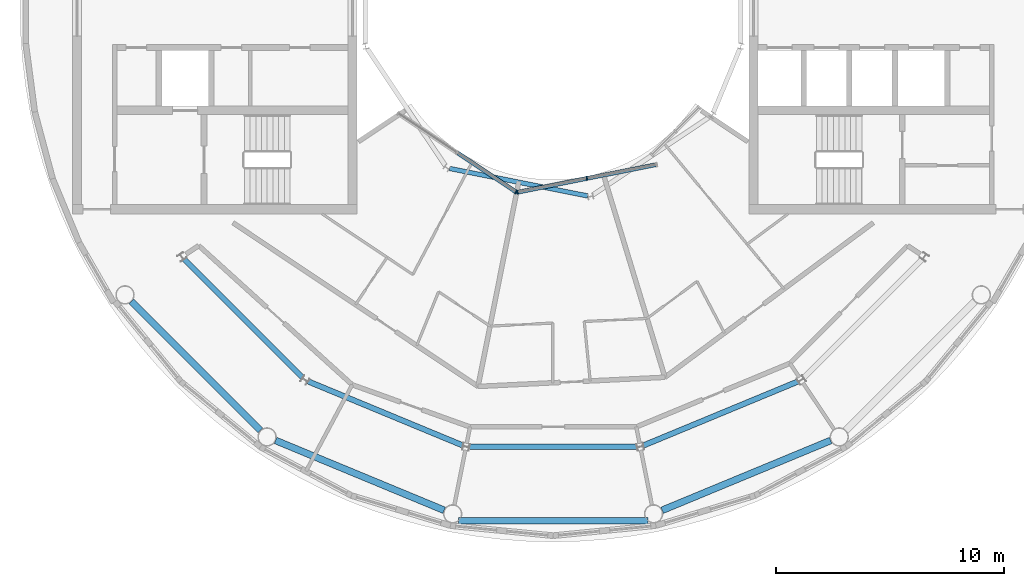
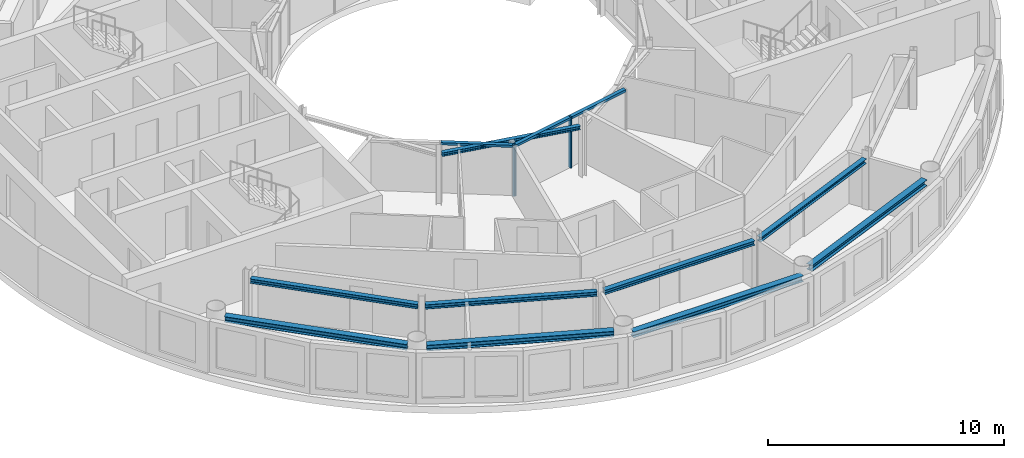
# One storey, part 5 of 17: 9 beams, 6 members, 2 elements without a shape of their own.
"""IFC4 building model written with IfcOpenShell, lengths in metres."""

from ifc_helpers import new_model, si_unit, direction, frame, origin, origin_2d, place, context, subcontext, project, spatial, rectangle, i_section, extrude, material, layer, layer_set, material_profile, profile_set, type_object, element, aggregate, save


model = new_model("IFC4")

# Units and contexts
model_context = context("Model", 3, precision=1e-05, world=origin(), true_north=direction((0.0, 1.0)))
body_context = subcontext(model_context, "Body", "Model", "MODEL_VIEW")
ifc_project = project(units=[si_unit("LENGTHUNIT", "METRE"), si_unit("AREAUNIT", "SQUARE_METRE"), si_unit("VOLUMEUNIT", "CUBIC_METRE"), si_unit("PLANEANGLEUNIT", "RADIAN"), si_unit("MASSUNIT", "GRAM", prefix="KILO")], contexts=[model_context])

# Site, building, storey
site_placement = place(None, origin())
site = spatial("IfcSite", under=ifc_project, at=site_placement, CompositionType="ELEMENT")
building_placement = place(site_placement, origin())
building = spatial("IfcBuilding", under=site, at=building_placement, Name="Maasbend Ring Residences", CompositionType="ELEMENT")
storey_placement = place(building_placement, frame((0.0, 0.0, 252.35009765625)))
storey = spatial("IfcBuildingStorey", under=building, at=storey_placement, Name="L73", CompositionType="ELEMENT", Elevation=252.35009765625)

# Curtain wall, member
ifc_material_1 = material(Name="Aluminium and clear glass", Category="aluminium")
ifc_layer = layer(ifc_material_1, 0.179931640625)
ifc_layer_set = layer_set([ifc_layer], Name="CW-W")
curtain_wall_type = type_object("IfcCurtainWallType", Name="CW-W", PredefinedType="NOTDEFINED", material=ifc_layer_set)
curtain_wall_1_placement = place(storey_placement, origin())
curtain_wall_1 = element("IfcCurtainWall", 1, at=curtain_wall_1_placement, inside=storey, type_object=curtain_wall_type, Name="Well curtain wall S1", PredefinedType="NOTDEFINED")
ifc_material_2 = material(Name="Aluminium 6063-T6", Category="aluminium")
ifc_material_profile_1 = material_profile(ifc_material_2, rectangle(XDim=0.179931640625, YDim=0.06005859375, at=origin_2d()), Name="AL 180x60")
ifc_profile_set_1 = profile_set([ifc_material_profile_1], Name="Aluminium 6063-T6")
member_type_1 = type_object("IfcMemberType", Name="CWM-W", PredefinedType="MULLION", material=ifc_profile_set_1)
member_1_placement = place(storey_placement, frame((-1.627685546875, -8.040771484375, 0.0), z_axis=(0.0, 0.0, 1.0), x_axis=(0.55557023302, 0.831469612303, 0.0)))
member_1 = element("IfcMember", 2, at=member_1_placement, type_object=member_type_1, Name="Mullion well face", PredefinedType="MULLION", context=body_context, shape_type="SweptSolid", body=[
    extrude(rectangle(XDim=0.179931640625, YDim=0.06005859375, at=origin_2d()), origin(), (0.0, 0.0, 1.0), 2.64990234375),
])

# Curtain wall, members
curtain_wall_2_placement = place(storey_placement, origin())
curtain_wall_2 = element("IfcCurtainWall", 3, at=curtain_wall_2_placement, inside=storey, type_object=curtain_wall_type, Name="Well curtain wall S2", PredefinedType="NOTDEFINED")
member_2_placement = place(storey_placement, frame((-1.5732421875, -8.0517578125, 0.0), z_axis=(0.0, 0.0, 1.0), x_axis=(-0.195090322016, 0.980785280403, 0.0)))
member_2 = element("IfcMember", 4, at=member_2_placement, type_object=member_type_1, Name="Mullion well face", PredefinedType="MULLION", context=body_context, shape_type="SweptSolid", body=[
    extrude(rectangle(XDim=0.179931640625, YDim=0.06005859375, at=origin_2d()), origin(), (0.0, 0.0, 1.0), 2.64990234375),
])
member_3_placement = place(storey_placement, frame((1.480712890625, -7.444091796875, 0.0), z_axis=(0.0, 0.0, 1.0), x_axis=(-0.195090322016, 0.980785280403, 0.0)))
member_3 = element("IfcMember", 5, at=member_3_placement, type_object=member_type_1, Name="Mullion well face", PredefinedType="MULLION", context=body_context, shape_type="SweptSolid", body=[
    extrude(rectangle(XDim=0.179931640625, YDim=0.06005859375, at=origin_2d()), origin(), (0.0, 0.0, 1.0), 2.64990234375),
])

# Member
ifc_material_3 = material(Name="Aluminium 6063-T6", Category="aluminium")
ifc_material_profile_2 = material_profile(ifc_material_3, rectangle(XDim=0.179931640625, YDim=0.1201171875, at=origin_2d()), Name="AL 180x120")
ifc_profile_set_2 = profile_set([ifc_material_profile_2], Name="Aluminium 6063-T6")
member_type_2 = type_object("IfcMemberType", Name="CWT-W", PredefinedType="USERDEFINED", material=ifc_profile_set_2)
member_4_placement = place(storey_placement, frame((-4.19189453125, -6.32763671875, 2.58984375), z_axis=(0.831496422459, -0.555530106689, 0.0), x_axis=(0.555530106689, 0.831496422459, 0.0)))
member_4 = element("IfcMember", 6, at=member_4_placement, type_object=member_type_2, Name="Transom well face", ObjectType="TRANSOM", PredefinedType="USERDEFINED", context=body_context, shape_type="SweptSolid", body=[
    extrude(rectangle(XDim=0.179931640625, YDim=0.1201171875, at=origin_2d()), origin(), (0.0, 0.0, 1.0), 3.053955078125),
])

aggregate(curtain_wall_1, [member_1, member_4])

member_5_placement = place(storey_placement, frame((-1.5439453125, -8.0458984375, 2.58984375), z_axis=(0.980776956105, 0.195132166424, 0.0), x_axis=(-0.195132166424, 0.980776956105, 0.0)))
member_5 = element("IfcMember", 7, at=member_5_placement, type_object=member_type_2, Name="Transom well face", ObjectType="TRANSOM", PredefinedType="USERDEFINED", context=body_context, shape_type="SweptSolid", body=[
    extrude(rectangle(XDim=0.179931640625, YDim=0.1201171875, at=origin_2d()), origin(), (0.0, 0.0, 1.0), 3.053955078125),
])

member_6_placement = place(storey_placement, frame((1.51025390625, -7.438232421875, 2.58984375), z_axis=(0.980789210404, 0.19507056353, 0.0), x_axis=(-0.19507056353, 0.980789210404, 0.0)))
member_6 = element("IfcMember", 8, at=member_6_placement, type_object=member_type_2, Name="Transom well face", ObjectType="TRANSOM", PredefinedType="USERDEFINED", context=body_context, shape_type="SweptSolid", body=[
    extrude(rectangle(XDim=0.179931640625, YDim=0.1201171875, at=origin_2d()), origin(), (0.0, 0.0, 1.0), 3.0537109375),
])

aggregate(curtain_wall_2, [member_2, member_3, member_5, member_6])

# Beams
ifc_material_4 = material(Name="Steel S355J2", Category="steel")
ifc_material_profile_3 = material_profile(ifc_material_4, i_section(OverallWidth=0.239990234375, OverallDepth=0.22998046875, WebThickness=0.007568359375, FlangeThickness=0.011962890625, FilletRadius=0.02099609375, at=origin_2d()), Name="HEA 240")
ifc_profile_set_3 = profile_set([ifc_material_profile_3], Name="Steel S355J2")
beam_type_1 = type_object("IfcBeamType", Name="Corridor ring beam HEA 240", PredefinedType="BEAM", material=ifc_profile_set_3)
beam_1_placement = place(storey_placement, frame((-16.188720703125, -10.997314453125, 2.534912109375), z_axis=(0.707106781187, -0.707106781187, 0.0), x_axis=(0.707106781187, 0.707106781187, 0.0)))
element("IfcBeam", 9, at=beam_1_placement, inside=storey, type_object=beam_type_1, Name="Corridor ring beam", PredefinedType="BEAM", context=body_context, shape_type="SweptSolid", body=[
    extrude(i_section(OverallWidth=0.239990234375, OverallDepth=0.22998046875, WebThickness=0.007568359375, FlangeThickness=0.011962890625, FilletRadius=0.02099609375, at=origin_2d()), origin(), (0.0, 0.0, 1.0), 7.341796875),
])
beam_2_placement = place(storey_placement, frame((-10.747802734375, -16.355224609375, 2.534912109375), z_axis=(0.923875784142, -0.382692481603, 0.0), x_axis=(0.382692481603, 0.923875784142, 0.0)))
element("IfcBeam", 10, at=beam_2_placement, inside=storey, type_object=beam_type_1, Name="Corridor ring beam", PredefinedType="BEAM", context=body_context, shape_type="SweptSolid", body=[
    extrude(i_section(OverallWidth=0.239990234375, OverallDepth=0.22998046875, WebThickness=0.007568359375, FlangeThickness=0.011962890625, FilletRadius=0.02099609375, at=origin_2d()), origin(), (0.0, 0.0, 1.0), 7.341552734375),
])
beam_3_placement = place(storey_placement, frame((-3.6708984375, -19.223388671875, 2.534912109375), z_axis=(1.0, 0.0, 0.0), x_axis=(0.0, 1.0, 0.0)))
element("IfcBeam", 11, at=beam_3_placement, inside=storey, type_object=beam_type_1, Name="Corridor ring beam", PredefinedType="BEAM", context=body_context, shape_type="SweptSolid", body=[
    extrude(i_section(OverallWidth=0.239990234375, OverallDepth=0.22998046875, WebThickness=0.007568359375, FlangeThickness=0.011962890625, FilletRadius=0.02099609375, at=origin_2d()), origin(), (0.0, 0.0, 1.0), 7.341796875),
])
beam_4_placement = place(storey_placement, frame((3.965087890625, -19.164794921875, 2.534912109375), z_axis=(0.923875784142, 0.382692481603, 0.0), x_axis=(-0.382692481603, 0.923875784142, 0.0)))
element("IfcBeam", 12, at=beam_4_placement, inside=storey, type_object=beam_type_1, Name="Corridor ring beam", PredefinedType="BEAM", context=body_context, shape_type="SweptSolid", body=[
    extrude(i_section(OverallWidth=0.239990234375, OverallDepth=0.22998046875, WebThickness=0.007568359375, FlangeThickness=0.011962890625, FilletRadius=0.02099609375, at=origin_2d()), origin(), (0.0, 0.0, 1.0), 7.341552734375),
])
ifc_material_5 = material(Name="Steel S355J2", Category="steel")
ifc_material_profile_4 = material_profile(ifc_material_5, i_section(OverallWidth=0.300048828125, OverallDepth=0.300048828125, WebThickness=0.010986328125, FlangeThickness=0.01904296875, FilletRadius=0.027099609375, at=origin_2d()), Name="HEB 300")
ifc_profile_set_4 = profile_set([ifc_material_profile_4], Name="Steel S355J2")
beam_type_2 = type_object("IfcBeamType", Name="Spandrel ring beam HEB 300", PredefinedType="SPANDREL", material=ifc_profile_set_4)
beam_5_placement = place(storey_placement, frame((-18.50390625, -12.84326171875, 2.5), z_axis=(0.707106781187, -0.707106781187, 0.0), x_axis=(0.707106781187, 0.707106781187, 0.0)))
element("IfcBeam", 13, at=beam_5_placement, inside=storey, type_object=beam_type_2, Name="Spandrel ring beam", PredefinedType="SPANDREL", context=body_context, shape_type="SweptSolid", body=[
    extrude(i_section(OverallWidth=0.300048828125, OverallDepth=0.300048828125, WebThickness=0.010986328125, FlangeThickness=0.01904296875, FilletRadius=0.027099609375, at=origin_2d()), origin(), (0.0, 0.0, 1.0), 8.00537109375),
])
beam_6_placement = place(storey_placement, frame((-12.180419921875, -18.94677734375, 2.5), z_axis=(0.923887850638, -0.382663350013, 0.0), x_axis=(0.382663350013, 0.923887850638, 0.0)))
element("IfcBeam", 14, at=beam_6_placement, inside=storey, type_object=beam_type_2, Name="Spandrel ring beam", PredefinedType="SPANDREL", context=body_context, shape_type="SweptSolid", body=[
    extrude(i_section(OverallWidth=0.300048828125, OverallDepth=0.300048828125, WebThickness=0.010986328125, FlangeThickness=0.01904296875, FilletRadius=0.027099609375, at=origin_2d()), origin(), (0.0, 0.0, 1.0), 8.005126953125),
])
beam_7_placement = place(storey_placement, frame((-4.152587890625, -22.4658203125, 2.5), z_axis=(1.0, 0.0, 0.0), x_axis=(0.0, 1.0, 0.0)))
element("IfcBeam", 15, at=beam_7_placement, inside=storey, type_object=beam_type_2, Name="Spandrel ring beam", PredefinedType="SPANDREL", context=body_context, shape_type="SweptSolid", body=[
    extrude(i_section(OverallWidth=0.300048828125, OverallDepth=0.300048828125, WebThickness=0.010986328125, FlangeThickness=0.01904296875, FilletRadius=0.027099609375, at=origin_2d()), origin(), (0.0, 0.0, 1.0), 8.30517578125),
])
beam_8_placement = place(storey_placement, frame((4.78466796875, -22.010009765625, 2.5), z_axis=(0.923887850638, 0.382663350013, 0.0), x_axis=(-0.382663350013, 0.923887850638, 0.0)))
element("IfcBeam", 16, at=beam_8_placement, inside=storey, type_object=beam_type_2, Name="Spandrel ring beam", PredefinedType="SPANDREL", context=body_context, shape_type="SweptSolid", body=[
    extrude(i_section(OverallWidth=0.300048828125, OverallDepth=0.300048828125, WebThickness=0.010986328125, FlangeThickness=0.01904296875, FilletRadius=0.027099609375, at=origin_2d()), origin(), (0.0, 0.0, 1.0), 8.005126953125),
])
ifc_material_6 = material(Name="Steel S355J2", Category="steel")
ifc_material_profile_5 = material_profile(ifc_material_6, i_section(OverallWidth=0.199951171875, OverallDepth=0.18994140625, WebThickness=0.006591796875, FlangeThickness=0.010009765625, FilletRadius=0.01806640625, at=origin_2d()), Name="HEA 200")
ifc_profile_set_5 = profile_set([ifc_material_profile_5], Name="Steel S355J2")
beam_type_3 = type_object("IfcBeamType", Name="Well edge beam HEA 200", PredefinedType="BEAM", material=ifc_profile_set_5)
beam_9_placement = place(storey_placement, frame((-4.544677734375, -7.008544921875, 2.554931640625), z_axis=(0.98078072474, -0.195113223486, 0.0), x_axis=(0.195113223486, 0.98078072474, 0.0)))
element("IfcBeam", 17, at=beam_9_placement, inside=storey, type_object=beam_type_3, Name="Well edge beam", PredefinedType="BEAM", context=body_context, shape_type="SweptSolid", body=[
    extrude(i_section(OverallWidth=0.199951171875, OverallDepth=0.18994140625, WebThickness=0.006591796875, FlangeThickness=0.010009765625, FilletRadius=0.01806640625, at=origin_2d()), origin(), (0.0, 0.0, 1.0), 6.18017578125),
])

save(model, "model.ifc")
